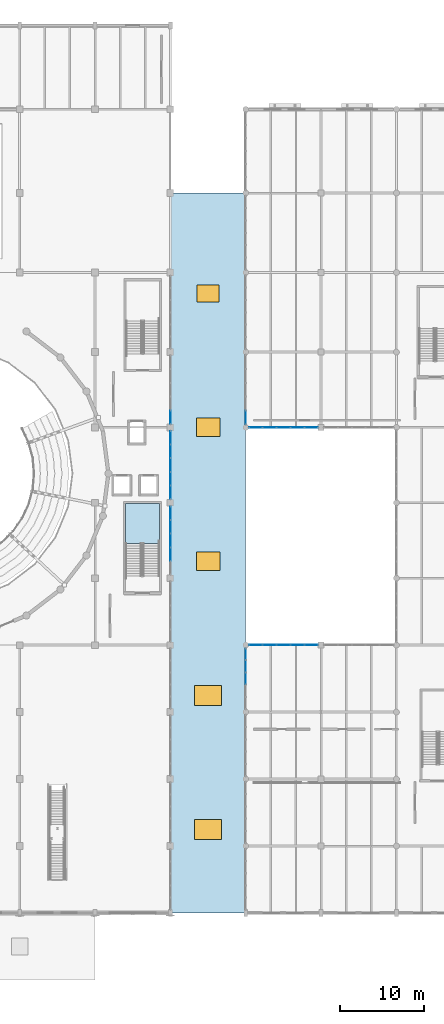
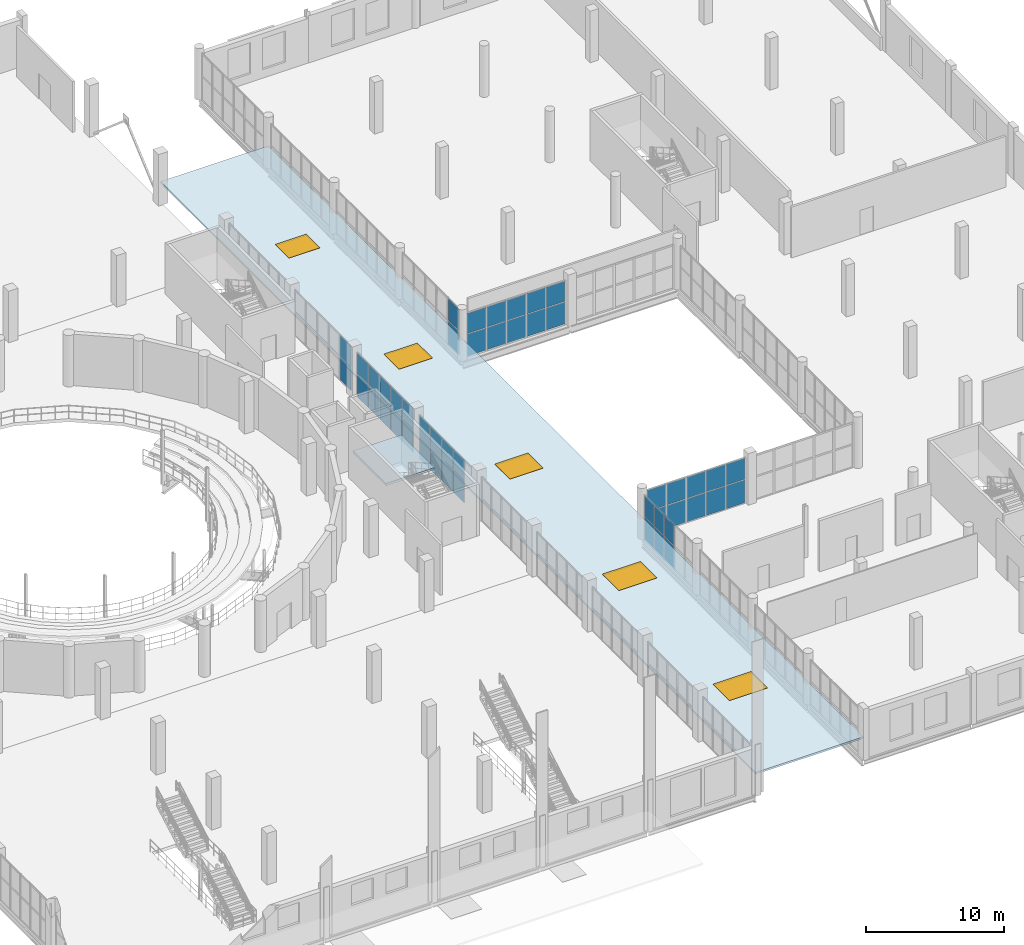
# One storey, part 60 of 93: 48 plates, 5 windows, 2 slabs, 5 openings, 8 elements without a shape of their own.
"""IFC4 building model written with IfcOpenShell, lengths in metres."""

from ifc_helpers import new_model, si_unit, direction, frame, origin, origin_2d, place, context, subcontext, project, spatial, polyline, rectangle, outline, extrude, material, layer, layer_set, type_object, element, fill, aggregate, save


model = new_model("IFC4")

# Units and contexts
model_context = context("Model", 3, precision=1e-05, world=origin(), true_north=direction((0.0, 1.0)))
body_context = subcontext(model_context, "Body", "Model", "MODEL_VIEW")
ifc_project = project(units=[si_unit("LENGTHUNIT", "METRE"), si_unit("AREAUNIT", "SQUARE_METRE"), si_unit("VOLUMEUNIT", "CUBIC_METRE"), si_unit("PLANEANGLEUNIT", "RADIAN"), si_unit("MASSUNIT", "GRAM", prefix="KILO")], contexts=[model_context])

# Site, building, storey
site_placement = place(None, origin())
site = spatial("IfcSite", under=ifc_project, at=site_placement, CompositionType="ELEMENT")
building_placement = place(site_placement, origin())
building = spatial("IfcBuilding", under=site, at=building_placement, Name="Marnock Terrace Opera House", CompositionType="ELEMENT")
storey_placement = place(building_placement, frame((0.0, 0.0, 5.39990234375)))
storey = spatial("IfcBuildingStorey", under=building, at=storey_placement, Name="L01", CompositionType="ELEMENT", Elevation=5.39990234375)

# Curtain wall, plates
ifc_material_1 = material(Name="Anodised architectural bronze aluminium framing", Category="aluminium")
ifc_layer_1 = layer(ifc_material_1, 0.159912109375)
ifc_layer_set_1 = layer_set([ifc_layer_1], Name="Anodised architectural bronze aluminium framing")
curtain_wall_type_1 = type_object("IfcCurtainWallType", Name="CW-FOYER-90x45", PredefinedType="NOTDEFINED", material=ifc_layer_set_1)
curtain_wall_1_placement = place(storey_placement, origin())
curtain_wall_1 = element("IfcCurtainWall", 1, at=curtain_wall_1_placement, inside=storey, type_object=curtain_wall_type_1, Name="L01 glazed Beaux-Arts colonnade curtain wall CW-V1E-L01-06", PredefinedType="NOTDEFINED")
ifc_material_2 = material(Name="Double-glazed acoustic low-E laminated glass", Category="glass")
ifc_layer_2 = layer(ifc_material_2, 0.028076171875)
ifc_layer_set_2 = layer_set([ifc_layer_2], Name="Double-glazed acoustic low-E laminated glass")
plate_type_1 = type_object("IfcPlateType", Name="CWP-GLZ-28", PredefinedType="CURTAIN_PANEL", material=ifc_layer_set_2)
plate_1_placement = place(storey_placement, frame((109.0, 50.8583984375, 0.06005859375), z_axis=(0.0, 0.0, 1.0), x_axis=(0.0, 1.0, 0.0)))
plate_1 = element("IfcPlate", 2, at=plate_1_placement, type_object=plate_type_1, Name="CW-27 panel 2.1", PredefinedType="CURTAIN_PANEL", context=body_context, shape_type="SweptSolid", body=[
    extrude(rectangle(XDim=1.58154296875, YDim=0.028076171875, at=origin_2d()), origin(), (0.0, 0.0, 1.0), 1.942138671875),
])
plate_2_placement = place(storey_placement, frame((109.0, 50.8583984375, 2.06201171875), z_axis=(0.0, 0.0, 1.0), x_axis=(0.0, 1.0, 0.0)))
plate_2 = element("IfcPlate", 3, at=plate_2_placement, type_object=plate_type_1, Name="CW-27 panel 2.2", PredefinedType="CURTAIN_PANEL", context=body_context, shape_type="SweptSolid", body=[
    extrude(rectangle(XDim=1.58154296875, YDim=0.028076171875, at=origin_2d()), origin(), (0.0, 0.0, 1.0), 1.785888671875),
])
plate_3_placement = place(storey_placement, frame((109.0, 52.5, 0.06005859375), z_axis=(0.0, 0.0, 1.0), x_axis=(0.0, 1.0, 0.0)))
plate_3 = element("IfcPlate", 4, at=plate_3_placement, type_object=plate_type_1, Name="CW-27 panel 3.1", PredefinedType="CURTAIN_PANEL", context=body_context, shape_type="SweptSolid", body=[
    extrude(rectangle(XDim=1.58154296875, YDim=0.028076171875, at=origin_2d()), origin(), (0.0, 0.0, 1.0), 1.942138671875),
])
plate_4_placement = place(storey_placement, frame((109.0, 52.5, 2.06201171875), z_axis=(0.0, 0.0, 1.0), x_axis=(0.0, 1.0, 0.0)))
plate_4 = element("IfcPlate", 5, at=plate_4_placement, type_object=plate_type_1, Name="CW-27 panel 3.2", PredefinedType="CURTAIN_PANEL", context=body_context, shape_type="SweptSolid", body=[
    extrude(rectangle(XDim=1.58154296875, YDim=0.028076171875, at=origin_2d()), origin(), (0.0, 0.0, 1.0), 1.785888671875),
])
plate_5_placement = place(storey_placement, frame((109.0, 54.1416015625, 0.06005859375), z_axis=(0.0, 0.0, 1.0), x_axis=(0.0, 1.0, 0.0)))
plate_5 = element("IfcPlate", 6, at=plate_5_placement, type_object=plate_type_1, Name="CW-27 panel 4.1", PredefinedType="CURTAIN_PANEL", context=body_context, shape_type="SweptSolid", body=[
    extrude(rectangle(XDim=1.58154296875, YDim=0.028076171875, at=origin_2d()), origin(), (0.0, 0.0, 1.0), 1.942138671875),
])
plate_6_placement = place(storey_placement, frame((109.0, 54.1416015625, 2.06201171875), z_axis=(0.0, 0.0, 1.0), x_axis=(0.0, 1.0, 0.0)))
plate_6 = element("IfcPlate", 7, at=plate_6_placement, type_object=plate_type_1, Name="CW-27 panel 4.2", PredefinedType="CURTAIN_PANEL", context=body_context, shape_type="SweptSolid", body=[
    extrude(rectangle(XDim=1.58154296875, YDim=0.028076171875, at=origin_2d()), origin(), (0.0, 0.0, 1.0), 1.785888671875),
])
plate_7_placement = place(storey_placement, frame((109.0, 55.768310546875, 0.06005859375), z_axis=(0.0, 0.0, 1.0), x_axis=(0.0, 1.0, 0.0)))
plate_7 = element("IfcPlate", 8, at=plate_7_placement, type_object=plate_type_1, Name="CW-27 panel 5.1", PredefinedType="CURTAIN_PANEL", context=body_context, shape_type="SweptSolid", body=[
    extrude(rectangle(XDim=1.551513671875, YDim=0.028076171875, at=origin_2d()), origin(), (0.0, 0.0, 1.0), 1.942138671875),
])
plate_8_placement = place(storey_placement, frame((109.0, 55.768310546875, 2.06201171875), z_axis=(0.0, 0.0, 1.0), x_axis=(0.0, 1.0, 0.0)))
plate_8 = element("IfcPlate", 9, at=plate_8_placement, type_object=plate_type_1, Name="CW-27 panel 5.2", PredefinedType="CURTAIN_PANEL", context=body_context, shape_type="SweptSolid", body=[
    extrude(rectangle(XDim=1.551513671875, YDim=0.028076171875, at=origin_2d()), origin(), (0.0, 0.0, 1.0), 1.785888671875),
])
aggregate(curtain_wall_1, [plate_1, plate_2, plate_3, plate_4, plate_5, plate_6, plate_7, plate_8])

curtain_wall_2_placement = place(storey_placement, origin())
curtain_wall_2 = element("IfcCurtainWall", 10, at=curtain_wall_2_placement, inside=storey, type_object=curtain_wall_type_1, Name="L01 glazed Beaux-Arts colonnade curtain wall CW-V1E-L01-07", PredefinedType="NOTDEFINED")
plate_9_placement = place(storey_placement, frame((109.0, 58.231689453125, 0.06005859375), z_axis=(0.0, 0.0, 1.0), x_axis=(0.0, 1.0, 0.0)))
plate_9 = element("IfcPlate", 11, at=plate_9_placement, type_object=plate_type_1, Name="CW-27 panel 1.1", PredefinedType="CURTAIN_PANEL", context=body_context, shape_type="SweptSolid", body=[
    extrude(rectangle(XDim=1.551513671875, YDim=0.028076171875, at=origin_2d()), origin(), (0.0, 0.0, 1.0), 1.980712890625),
])
plate_10_placement = place(storey_placement, frame((109.0, 58.231689453125, 2.100830078125), z_axis=(0.0, 0.0, 1.0), x_axis=(0.0, 1.0, 0.0)))
plate_10 = element("IfcPlate", 12, at=plate_10_placement, type_object=plate_type_1, Name="CW-27 panel 1.2", PredefinedType="CURTAIN_PANEL", context=body_context, shape_type="SweptSolid", body=[
    extrude(rectangle(XDim=1.551513671875, YDim=0.028076171875, at=origin_2d()), origin(), (0.0, 0.0, 1.0), 1.8212890625),
])
plate_11_placement = place(storey_placement, frame((109.0, 59.8583984375, 0.06005859375), z_axis=(0.0, 0.0, 1.0), x_axis=(0.0, 1.0, 0.0)))
plate_11 = element("IfcPlate", 13, at=plate_11_placement, type_object=plate_type_1, Name="CW-27 panel 2.1", PredefinedType="CURTAIN_PANEL", context=body_context, shape_type="SweptSolid", body=[
    extrude(rectangle(XDim=1.58154296875, YDim=0.028076171875, at=origin_2d()), origin(), (0.0, 0.0, 1.0), 1.980712890625),
])
plate_12_placement = place(storey_placement, frame((109.0, 59.8583984375, 2.100830078125), z_axis=(0.0, 0.0, 1.0), x_axis=(0.0, 1.0, 0.0)))
plate_12 = element("IfcPlate", 14, at=plate_12_placement, type_object=plate_type_1, Name="CW-27 panel 2.2", PredefinedType="CURTAIN_PANEL", context=body_context, shape_type="SweptSolid", body=[
    extrude(rectangle(XDim=1.58154296875, YDim=0.028076171875, at=origin_2d()), origin(), (0.0, 0.0, 1.0), 1.8212890625),
])
plate_13_placement = place(storey_placement, frame((109.0, 61.5, 0.06005859375), z_axis=(0.0, 0.0, 1.0), x_axis=(0.0, 1.0, 0.0)))
plate_13 = element("IfcPlate", 15, at=plate_13_placement, type_object=plate_type_1, Name="CW-27 panel 3.1", PredefinedType="CURTAIN_PANEL", context=body_context, shape_type="SweptSolid", body=[
    extrude(rectangle(XDim=1.58154296875, YDim=0.028076171875, at=origin_2d()), origin(), (0.0, 0.0, 1.0), 1.980712890625),
])
plate_14_placement = place(storey_placement, frame((109.0, 61.5, 2.100830078125), z_axis=(0.0, 0.0, 1.0), x_axis=(0.0, 1.0, 0.0)))
plate_14 = element("IfcPlate", 16, at=plate_14_placement, type_object=plate_type_1, Name="CW-27 panel 3.2", PredefinedType="CURTAIN_PANEL", context=body_context, shape_type="SweptSolid", body=[
    extrude(rectangle(XDim=1.58154296875, YDim=0.028076171875, at=origin_2d()), origin(), (0.0, 0.0, 1.0), 1.8212890625),
])
plate_15_placement = place(storey_placement, frame((109.0, 63.1416015625, 0.06005859375), z_axis=(0.0, 0.0, 1.0), x_axis=(0.0, 1.0, 0.0)))
plate_15 = element("IfcPlate", 17, at=plate_15_placement, type_object=plate_type_1, Name="CW-27 panel 4.1", PredefinedType="CURTAIN_PANEL", context=body_context, shape_type="SweptSolid", body=[
    extrude(rectangle(XDim=1.58154296875, YDim=0.028076171875, at=origin_2d()), origin(), (0.0, 0.0, 1.0), 1.980712890625),
])
plate_16_placement = place(storey_placement, frame((109.0, 63.1416015625, 2.100830078125), z_axis=(0.0, 0.0, 1.0), x_axis=(0.0, 1.0, 0.0)))
plate_16 = element("IfcPlate", 18, at=plate_16_placement, type_object=plate_type_1, Name="CW-27 panel 4.2", PredefinedType="CURTAIN_PANEL", context=body_context, shape_type="SweptSolid", body=[
    extrude(rectangle(XDim=1.58154296875, YDim=0.028076171875, at=origin_2d()), origin(), (0.0, 0.0, 1.0), 1.8212890625),
])
plate_17_placement = place(storey_placement, frame((109.0, 64.768310546875, 0.06005859375), z_axis=(0.0, 0.0, 1.0), x_axis=(0.0, 1.0, 0.0)))
plate_17 = element("IfcPlate", 19, at=plate_17_placement, type_object=plate_type_1, Name="CW-27 panel 5.1", PredefinedType="CURTAIN_PANEL", context=body_context, shape_type="SweptSolid", body=[
    extrude(rectangle(XDim=1.551513671875, YDim=0.028076171875, at=origin_2d()), origin(), (0.0, 0.0, 1.0), 1.980712890625),
])
plate_18_placement = place(storey_placement, frame((109.0, 64.768310546875, 2.100830078125), z_axis=(0.0, 0.0, 1.0), x_axis=(0.0, 1.0, 0.0)))
plate_18 = element("IfcPlate", 20, at=plate_18_placement, type_object=plate_type_1, Name="CW-27 panel 5.2", PredefinedType="CURTAIN_PANEL", context=body_context, shape_type="SweptSolid", body=[
    extrude(rectangle(XDim=1.551513671875, YDim=0.028076171875, at=origin_2d()), origin(), (0.0, 0.0, 1.0), 1.8212890625),
])
aggregate(curtain_wall_2, [plate_9, plate_10, plate_11, plate_12, plate_13, plate_14, plate_15, plate_16, plate_17, plate_18])

ifc_layer_3 = layer(ifc_material_1, 0.159912109375)
ifc_layer_set_3 = layer_set([ifc_layer_3], Name="Anodised architectural bronze aluminium framing")
curtain_wall_type_2 = type_object("IfcCurtainWallType", Name="CW-LOGGIA-86x45", PredefinedType="NOTDEFINED", material=ifc_layer_set_3)
curtain_wall_3_placement = place(storey_placement, origin())
curtain_wall_3 = element("IfcCurtainWall", 21, at=curtain_wall_3_placement, inside=storey, type_object=curtain_wall_type_2, Name="L01 glazed Beaux-Arts colonnade curtain wall CW-V5-L01-W4", PredefinedType="NOTDEFINED")
plate_19_placement = place(storey_placement, frame((118.0, 36.0, 0.06005859375), z_axis=(0.0, 0.0, 1.0), x_axis=(0.0, 1.0, 0.0)))
plate_19 = element("IfcPlate", 22, at=plate_19_placement, type_object=plate_type_1, Name="CW-61 panel 3.1", PredefinedType="CURTAIN_PANEL", context=body_context, shape_type="SweptSolid", body=[
    extrude(rectangle(XDim=1.401611328125, YDim=0.028076171875, at=origin_2d()), origin(), (0.0, 0.0, 1.0), 1.980712890625),
])
plate_20_placement = place(storey_placement, frame((118.0, 36.0, 2.100830078125), z_axis=(0.0, 0.0, 1.0), x_axis=(0.0, 1.0, 0.0)))
plate_20 = element("IfcPlate", 23, at=plate_20_placement, type_object=plate_type_1, Name="CW-61 panel 3.2", PredefinedType="CURTAIN_PANEL", context=body_context, shape_type="SweptSolid", body=[
    extrude(rectangle(XDim=1.401611328125, YDim=0.028076171875, at=origin_2d()), origin(), (0.0, 0.0, 1.0), 1.8212890625),
])
plate_21_placement = place(storey_placement, frame((118.0, 37.461669921875, 0.06005859375), z_axis=(0.0, 0.0, 1.0), x_axis=(0.0, 1.0, 0.0)))
plate_21 = element("IfcPlate", 24, at=plate_21_placement, type_object=plate_type_1, Name="CW-61 panel 4.1", PredefinedType="CURTAIN_PANEL", context=body_context, shape_type="SweptSolid", body=[
    extrude(rectangle(XDim=1.401611328125, YDim=0.028076171875, at=origin_2d()), origin(), (0.0, 0.0, 1.0), 1.980712890625),
])
plate_22_placement = place(storey_placement, frame((118.0, 37.461669921875, 2.100830078125), z_axis=(0.0, 0.0, 1.0), x_axis=(0.0, 1.0, 0.0)))
plate_22 = element("IfcPlate", 25, at=plate_22_placement, type_object=plate_type_1, Name="CW-61 panel 4.2", PredefinedType="CURTAIN_PANEL", context=body_context, shape_type="SweptSolid", body=[
    extrude(rectangle(XDim=1.401611328125, YDim=0.028076171875, at=origin_2d()), origin(), (0.0, 0.0, 1.0), 1.8212890625),
])
plate_23_placement = place(storey_placement, frame((118.0, 38.908203125, 0.06005859375), z_axis=(0.0, 0.0, 1.0), x_axis=(0.0, 1.0, 0.0)))
plate_23 = element("IfcPlate", 26, at=plate_23_placement, type_object=plate_type_1, Name="CW-61 panel 5.1", PredefinedType="CURTAIN_PANEL", context=body_context, shape_type="SweptSolid", body=[
    extrude(rectangle(XDim=1.37158203125, YDim=0.028076171875, at=origin_2d()), origin(), (0.0, 0.0, 1.0), 1.980712890625),
])
plate_24_placement = place(storey_placement, frame((118.0, 38.908203125, 2.100830078125), z_axis=(0.0, 0.0, 1.0), x_axis=(0.0, 1.0, 0.0)))
plate_24 = element("IfcPlate", 27, at=plate_24_placement, type_object=plate_type_1, Name="CW-61 panel 5.2", PredefinedType="CURTAIN_PANEL", context=body_context, shape_type="SweptSolid", body=[
    extrude(rectangle(XDim=1.37158203125, YDim=0.028076171875, at=origin_2d()), origin(), (0.0, 0.0, 1.0), 1.8212890625),
])
aggregate(curtain_wall_3, [plate_19, plate_20, plate_21, plate_22, plate_23, plate_24])

curtain_wall_4_placement = place(storey_placement, origin())
curtain_wall_4 = element("IfcCurtainWall", 28, at=curtain_wall_4_placement, inside=storey, type_object=curtain_wall_type_2, Name="L01 glazed Beaux-Arts colonnade curtain wall CW-V5-L01-CS1", PredefinedType="NOTDEFINED")
plate_25_placement = place(storey_placement, frame((119.19189453125, 40.0, 0.06005859375), z_axis=(0.0, 0.0, 1.0), x_axis=(1.0, 0.0, 0.0)))
plate_25 = element("IfcPlate", 29, at=plate_25_placement, type_object=plate_type_1, Name="CW-61 panel 1.1", PredefinedType="CURTAIN_PANEL", context=body_context, shape_type="SweptSolid", body=[
    extrude(rectangle(XDim=1.571533203125, YDim=0.028076171875, at=origin_2d()), origin(), (0.0, 0.0, 1.0), 2.015869140625),
])
plate_26_placement = place(storey_placement, frame((119.19189453125, 40.0, 2.1357421875), z_axis=(0.0, 0.0, 1.0), x_axis=(1.0, 0.0, 0.0)))
plate_26 = element("IfcPlate", 30, at=plate_26_placement, type_object=plate_type_1, Name="CW-61 panel 1.2", PredefinedType="CURTAIN_PANEL", context=body_context, shape_type="SweptSolid", body=[
    extrude(rectangle(XDim=1.571533203125, YDim=0.028076171875, at=origin_2d()), origin(), (0.0, 0.0, 1.0), 1.853759765625),
])
plate_27_placement = place(storey_placement, frame((120.83837890625, 40.0, 0.06005859375), z_axis=(0.0, 0.0, 1.0), x_axis=(1.0, 0.0, 0.0)))
plate_27 = element("IfcPlate", 31, at=plate_27_placement, type_object=plate_type_1, Name="CW-61 panel 2.1", PredefinedType="CURTAIN_PANEL", context=body_context, shape_type="SweptSolid", body=[
    extrude(rectangle(XDim=1.6015625, YDim=0.028076171875, at=origin_2d()), origin(), (0.0, 0.0, 1.0), 2.015869140625),
])
plate_28_placement = place(storey_placement, frame((120.83837890625, 40.0, 2.1357421875), z_axis=(0.0, 0.0, 1.0), x_axis=(1.0, 0.0, 0.0)))
plate_28 = element("IfcPlate", 32, at=plate_28_placement, type_object=plate_type_1, Name="CW-61 panel 2.2", PredefinedType="CURTAIN_PANEL", context=body_context, shape_type="SweptSolid", body=[
    extrude(rectangle(XDim=1.6015625, YDim=0.028076171875, at=origin_2d()), origin(), (0.0, 0.0, 1.0), 1.853759765625),
])
plate_29_placement = place(storey_placement, frame((122.5, 40.0, 0.06005859375), z_axis=(0.0, 0.0, 1.0), x_axis=(1.0, 0.0, 0.0)))
plate_29 = element("IfcPlate", 33, at=plate_29_placement, type_object=plate_type_1, Name="CW-61 panel 3.1", PredefinedType="CURTAIN_PANEL", context=body_context, shape_type="SweptSolid", body=[
    extrude(rectangle(XDim=1.6015625, YDim=0.028076171875, at=origin_2d()), origin(), (0.0, 0.0, 1.0), 2.015869140625),
])
plate_30_placement = place(storey_placement, frame((122.5, 40.0, 2.1357421875), z_axis=(0.0, 0.0, 1.0), x_axis=(1.0, 0.0, 0.0)))
plate_30 = element("IfcPlate", 34, at=plate_30_placement, type_object=plate_type_1, Name="CW-61 panel 3.2", PredefinedType="CURTAIN_PANEL", context=body_context, shape_type="SweptSolid", body=[
    extrude(rectangle(XDim=1.6015625, YDim=0.028076171875, at=origin_2d()), origin(), (0.0, 0.0, 1.0), 1.853759765625),
])
plate_31_placement = place(storey_placement, frame((124.16162109375, 40.0, 0.06005859375), z_axis=(0.0, 0.0, 1.0), x_axis=(1.0, 0.0, 0.0)))
plate_31 = element("IfcPlate", 35, at=plate_31_placement, type_object=plate_type_1, Name="CW-61 panel 4.1", PredefinedType="CURTAIN_PANEL", context=body_context, shape_type="SweptSolid", body=[
    extrude(rectangle(XDim=1.6015625, YDim=0.028076171875, at=origin_2d()), origin(), (0.0, 0.0, 1.0), 2.015869140625),
])
plate_32_placement = place(storey_placement, frame((124.16162109375, 40.0, 2.1357421875), z_axis=(0.0, 0.0, 1.0), x_axis=(1.0, 0.0, 0.0)))
plate_32 = element("IfcPlate", 36, at=plate_32_placement, type_object=plate_type_1, Name="CW-61 panel 4.2", PredefinedType="CURTAIN_PANEL", context=body_context, shape_type="SweptSolid", body=[
    extrude(rectangle(XDim=1.6015625, YDim=0.028076171875, at=origin_2d()), origin(), (0.0, 0.0, 1.0), 1.853759765625),
])
plate_33_placement = place(storey_placement, frame((125.80810546875, 40.0, 0.06005859375), z_axis=(0.0, 0.0, 1.0), x_axis=(1.0, 0.0, 0.0)))
plate_33 = element("IfcPlate", 37, at=plate_33_placement, type_object=plate_type_1, Name="CW-61 panel 5.1", PredefinedType="CURTAIN_PANEL", context=body_context, shape_type="SweptSolid", body=[
    extrude(rectangle(XDim=1.571533203125, YDim=0.028076171875, at=origin_2d()), origin(), (0.0, 0.0, 1.0), 2.015869140625),
])
plate_34_placement = place(storey_placement, frame((125.80810546875, 40.0, 2.1357421875), z_axis=(0.0, 0.0, 1.0), x_axis=(1.0, 0.0, 0.0)))
plate_34 = element("IfcPlate", 38, at=plate_34_placement, type_object=plate_type_1, Name="CW-61 panel 5.2", PredefinedType="CURTAIN_PANEL", context=body_context, shape_type="SweptSolid", body=[
    extrude(rectangle(XDim=1.571533203125, YDim=0.028076171875, at=origin_2d()), origin(), (0.0, 0.0, 1.0), 1.853759765625),
])
aggregate(curtain_wall_4, [plate_25, plate_26, plate_27, plate_28, plate_29, plate_30, plate_31, plate_32, plate_33, plate_34])

curtain_wall_5_placement = place(storey_placement, origin())
curtain_wall_5 = element("IfcCurtainWall", 39, at=curtain_wall_5_placement, inside=storey, type_object=curtain_wall_type_2, Name="L01 glazed Beaux-Arts colonnade curtain wall CW-V5-L01-CN1", PredefinedType="NOTDEFINED")
plate_35_placement = place(storey_placement, frame((119.19189453125, 66.0, 0.06005859375), z_axis=(0.0, 0.0, 1.0), x_axis=(1.0, 0.0, 0.0)))
plate_35 = element("IfcPlate", 40, at=plate_35_placement, type_object=plate_type_1, Name="CW-61 panel 1.1", PredefinedType="CURTAIN_PANEL", context=body_context, shape_type="SweptSolid", body=[
    extrude(rectangle(XDim=1.571533203125, YDim=0.028076171875, at=origin_2d()), origin(), (0.0, 0.0, 1.0), 1.939697265625),
])
plate_36_placement = place(storey_placement, frame((119.19189453125, 66.0, 2.0595703125), z_axis=(0.0, 0.0, 1.0), x_axis=(1.0, 0.0, 0.0)))
plate_36 = element("IfcPlate", 41, at=plate_36_placement, type_object=plate_type_1, Name="CW-61 panel 1.2", PredefinedType="CURTAIN_PANEL", context=body_context, shape_type="SweptSolid", body=[
    extrude(rectangle(XDim=1.571533203125, YDim=0.028076171875, at=origin_2d()), origin(), (0.0, 0.0, 1.0), 1.783447265625),
])
plate_37_placement = place(storey_placement, frame((120.83837890625, 66.0, 0.06005859375), z_axis=(0.0, 0.0, 1.0), x_axis=(1.0, 0.0, 0.0)))
plate_37 = element("IfcPlate", 42, at=plate_37_placement, type_object=plate_type_1, Name="CW-61 panel 2.1", PredefinedType="CURTAIN_PANEL", context=body_context, shape_type="SweptSolid", body=[
    extrude(rectangle(XDim=1.6015625, YDim=0.028076171875, at=origin_2d()), origin(), (0.0, 0.0, 1.0), 1.939697265625),
])
plate_38_placement = place(storey_placement, frame((120.83837890625, 66.0, 2.0595703125), z_axis=(0.0, 0.0, 1.0), x_axis=(1.0, 0.0, 0.0)))
plate_38 = element("IfcPlate", 43, at=plate_38_placement, type_object=plate_type_1, Name="CW-61 panel 2.2", PredefinedType="CURTAIN_PANEL", context=body_context, shape_type="SweptSolid", body=[
    extrude(rectangle(XDim=1.6015625, YDim=0.028076171875, at=origin_2d()), origin(), (0.0, 0.0, 1.0), 1.783447265625),
])
plate_39_placement = place(storey_placement, frame((122.5, 66.0, 0.06005859375), z_axis=(0.0, 0.0, 1.0), x_axis=(1.0, 0.0, 0.0)))
plate_39 = element("IfcPlate", 44, at=plate_39_placement, type_object=plate_type_1, Name="CW-61 panel 3.1", PredefinedType="CURTAIN_PANEL", context=body_context, shape_type="SweptSolid", body=[
    extrude(rectangle(XDim=1.6015625, YDim=0.028076171875, at=origin_2d()), origin(), (0.0, 0.0, 1.0), 1.939697265625),
])
plate_40_placement = place(storey_placement, frame((122.5, 66.0, 2.0595703125), z_axis=(0.0, 0.0, 1.0), x_axis=(1.0, 0.0, 0.0)))
plate_40 = element("IfcPlate", 45, at=plate_40_placement, type_object=plate_type_1, Name="CW-61 panel 3.2", PredefinedType="CURTAIN_PANEL", context=body_context, shape_type="SweptSolid", body=[
    extrude(rectangle(XDim=1.6015625, YDim=0.028076171875, at=origin_2d()), origin(), (0.0, 0.0, 1.0), 1.783447265625),
])
plate_41_placement = place(storey_placement, frame((124.16162109375, 66.0, 0.06005859375), z_axis=(0.0, 0.0, 1.0), x_axis=(1.0, 0.0, 0.0)))
plate_41 = element("IfcPlate", 46, at=plate_41_placement, type_object=plate_type_1, Name="CW-61 panel 4.1", PredefinedType="CURTAIN_PANEL", context=body_context, shape_type="SweptSolid", body=[
    extrude(rectangle(XDim=1.6015625, YDim=0.028076171875, at=origin_2d()), origin(), (0.0, 0.0, 1.0), 1.939697265625),
])
plate_42_placement = place(storey_placement, frame((124.16162109375, 66.0, 2.0595703125), z_axis=(0.0, 0.0, 1.0), x_axis=(1.0, 0.0, 0.0)))
plate_42 = element("IfcPlate", 47, at=plate_42_placement, type_object=plate_type_1, Name="CW-61 panel 4.2", PredefinedType="CURTAIN_PANEL", context=body_context, shape_type="SweptSolid", body=[
    extrude(rectangle(XDim=1.6015625, YDim=0.028076171875, at=origin_2d()), origin(), (0.0, 0.0, 1.0), 1.783447265625),
])
plate_43_placement = place(storey_placement, frame((125.80810546875, 66.0, 0.06005859375), z_axis=(0.0, 0.0, 1.0), x_axis=(1.0, 0.0, 0.0)))
plate_43 = element("IfcPlate", 48, at=plate_43_placement, type_object=plate_type_1, Name="CW-61 panel 5.1", PredefinedType="CURTAIN_PANEL", context=body_context, shape_type="SweptSolid", body=[
    extrude(rectangle(XDim=1.571533203125, YDim=0.028076171875, at=origin_2d()), origin(), (0.0, 0.0, 1.0), 1.939697265625),
])
plate_44_placement = place(storey_placement, frame((125.80810546875, 66.0, 2.0595703125), z_axis=(0.0, 0.0, 1.0), x_axis=(1.0, 0.0, 0.0)))
plate_44 = element("IfcPlate", 49, at=plate_44_placement, type_object=plate_type_1, Name="CW-61 panel 5.2", PredefinedType="CURTAIN_PANEL", context=body_context, shape_type="SweptSolid", body=[
    extrude(rectangle(XDim=1.571533203125, YDim=0.028076171875, at=origin_2d()), origin(), (0.0, 0.0, 1.0), 1.783447265625),
])
aggregate(curtain_wall_5, [plate_35, plate_36, plate_37, plate_38, plate_39, plate_40, plate_41, plate_42, plate_43, plate_44])

curtain_wall_6_placement = place(storey_placement, origin())
curtain_wall_6 = element("IfcCurtainWall", 50, at=curtain_wall_6_placement, inside=storey, type_object=curtain_wall_type_2, Name="L01 glazed Beaux-Arts colonnade curtain wall CW-V5-L01-W5", PredefinedType="NOTDEFINED")
plate_45_placement = place(storey_placement, frame((118.0, 67.19189453125, 0.06005859375), z_axis=(0.0, 0.0, 1.0), x_axis=(0.0, 1.0, 0.0)))
plate_45 = element("IfcPlate", 51, at=plate_45_placement, type_object=plate_type_1, Name="CW-61 panel 1.1", PredefinedType="CURTAIN_PANEL", context=body_context, shape_type="SweptSolid", body=[
    extrude(rectangle(XDim=1.571533203125, YDim=0.028076171875, at=origin_2d()), origin(), (0.0, 0.0, 1.0), 2.0703125),
])
plate_46_placement = place(storey_placement, frame((118.0, 67.19189453125, 2.1904296875), z_axis=(0.0, 0.0, 1.0), x_axis=(0.0, 1.0, 0.0)))
plate_46 = element("IfcPlate", 52, at=plate_46_placement, type_object=plate_type_1, Name="CW-61 panel 1.2", PredefinedType="CURTAIN_PANEL", context=body_context, shape_type="SweptSolid", body=[
    extrude(rectangle(XDim=1.571533203125, YDim=0.028076171875, at=origin_2d()), origin(), (0.0, 0.0, 1.0), 1.904052734375),
])
aggregate(curtain_wall_6, [plate_45, plate_46])

curtain_wall_7_placement = place(storey_placement, origin())
curtain_wall_7 = element("IfcCurtainWall", 53, at=curtain_wall_7_placement, inside=storey, type_object=curtain_wall_type_1, Name="L01 glazed Beaux-Arts colonnade curtain wall CW-V1E-L01-08", PredefinedType="NOTDEFINED")
ifc_layer_4 = layer(ifc_material_1, 0.035888671875)
ifc_layer_set_4 = layer_set([ifc_layer_4], Name="Anodised architectural bronze aluminium framing")
plate_type_2 = type_object("IfcPlateType", Name="CWP-SPAND-36", PredefinedType="CURTAIN_PANEL", material=ifc_layer_set_4)
plate_47_placement = place(storey_placement, frame((109.0, 67.231689453125, 0.06005859375), z_axis=(0.0, 0.0, 1.0), x_axis=(0.0, 1.0, 0.0)))
plate_47 = element("IfcPlate", 54, at=plate_47_placement, type_object=plate_type_2, Name="CW-27 panel 1.1", PredefinedType="CURTAIN_PANEL", context=body_context, shape_type="SweptSolid", body=[
    extrude(rectangle(XDim=1.551513671875, YDim=0.028076171875, at=origin_2d()), origin(), (0.0, 0.0, 1.0), 2.017333984375),
])
plate_48_placement = place(storey_placement, frame((109.0, 67.231689453125, 2.1376953125), z_axis=(0.0, 0.0, 1.0), x_axis=(0.0, 1.0, 0.0)))
plate_48 = element("IfcPlate", 55, at=plate_48_placement, type_object=plate_type_2, Name="CW-27 panel 1.2", PredefinedType="CURTAIN_PANEL", context=body_context, shape_type="SweptSolid", body=[
    extrude(rectangle(XDim=1.551513671875, YDim=0.028076171875, at=origin_2d()), origin(), (0.0, 0.0, 1.0), 1.855224609375),
])
aggregate(curtain_wall_7, [plate_47, plate_48])

# Slab, openings, windows
ifc_material_3 = material(Name="Steel Grade 350 (AS/NZS 3679.1)", Category="steel")
ifc_layer_5 = layer(ifc_material_3, 0.159912109375)
ifc_layer_set_5 = layer_set([ifc_layer_5], Name="Steel Grade 350 (AS/NZS 3679.1)")
slab_type_1 = type_object("IfcSlabType", Name="SL-CANOPY-160", PredefinedType="ROOF", material=ifc_layer_set_5)
slab_1_placement = place(storey_placement, frame((0.0, 0.0, 1.64013671875)))
slab_1 = element("IfcSlab", 56, at=slab_1_placement, inside=storey, type_object=slab_type_1, Name="L01 structural roof slab SL-ROOF-PASSAGE", PredefinedType="ROOF", context=body_context, shape_type="SweptSolid", body=[
    extrude(outline(polyline([(109.0, 8.0), (118.0, 8.0), (118.0, 94.0), (109.0, 94.0), (109.0, 8.0)])), origin(), (0.0, 0.0, 1.0), 0.159912109375),
])
opening_1_placement = place(slab_1_placement, frame((113.5, 18.0, 0.0)))
opening_1 = element("IfcOpeningElement", 57, at=opening_1_placement, cuts=slab_1, Name="Opening WT-34", PredefinedType="OPENING", context=body_context, shape_type="SweptSolid", body=[
    extrude(rectangle(XDim=3.199951171875, YDim=2.39990234375, at=origin_2d()), frame((0.0, 0.0, -0.010009765625)), (0.0, 0.0, 1.0), 0.179931640625),
])
opening_2_placement = place(slab_1_placement, frame((113.5, 34.0, 0.0)))
opening_2 = element("IfcOpeningElement", 58, at=opening_2_placement, cuts=slab_1, Name="Opening WT-34", PredefinedType="OPENING", context=body_context, shape_type="SweptSolid", body=[
    extrude(rectangle(XDim=3.199951171875, YDim=2.39990234375, at=origin_2d()), frame((0.0, 0.0, -0.010009765625)), (0.0, 0.0, 1.0), 0.179931640625),
])
opening_3_placement = place(slab_1_placement, frame((113.5, 50.0, 0.0)))
opening_3 = element("IfcOpeningElement", 59, at=opening_3_placement, cuts=slab_1, Name="Opening WT-82", PredefinedType="OPENING", context=body_context, shape_type="SweptSolid", body=[
    extrude(rectangle(XDim=2.800048828125, YDim=2.199951171875, at=origin_2d()), frame((0.0, 0.0, -0.010009765625)), (0.0, 0.0, 1.0), 0.179931640625),
])
opening_4_placement = place(slab_1_placement, frame((113.5, 66.0, 0.0)))
opening_4 = element("IfcOpeningElement", 60, at=opening_4_placement, cuts=slab_1, Name="Opening WT-82", PredefinedType="OPENING", context=body_context, shape_type="SweptSolid", body=[
    extrude(rectangle(XDim=2.800048828125, YDim=2.199951171875, at=origin_2d()), frame((0.0, 0.0, -0.010009765625)), (0.0, 0.0, 1.0), 0.179931640625),
])
opening_5_placement = place(slab_1_placement, frame((113.5, 82.0, 0.0)))
opening_5 = element("IfcOpeningElement", 61, at=opening_5_placement, cuts=slab_1, Name="Opening WT-54", PredefinedType="OPENING", context=body_context, shape_type="SweptSolid", body=[
    extrude(rectangle(XDim=2.60009765625, YDim=2.0, at=origin_2d()), frame((0.0, 0.0, -0.010009765625)), (0.0, 0.0, 1.0), 0.179931640625),
])
window_type_1 = type_object("IfcWindowType", Name="WT-SKY-2600", PartitioningType="SINGLE_PANEL", PredefinedType="SKYLIGHT", material=ifc_material_2)
window_1_placement = place(opening_5_placement, frame((0.0, 0.0, 0.10986328125)))
window_1 = element("IfcWindow", 62, at=window_1_placement, inside=storey, type_object=window_type_1, Name="Roof skylight SKY-PASS-05", OverallHeight=2.0, OverallWidth=2.60009765625, PartitioningType="SINGLE_PANEL", PredefinedType="SKYLIGHT", context=body_context, shape_type="SweptSolid", body=[
    extrude(rectangle(XDim=2.60009765625, YDim=2.0, at=origin_2d()), origin(), (0.0, 0.0, 1.0), 0.050048828125),
])
fill(opening_5, window_1)
window_type_2 = type_object("IfcWindowType", Name="WT-SKY-2800", PartitioningType="SINGLE_PANEL", PredefinedType="SKYLIGHT", material=ifc_material_2)
window_2_placement = place(opening_3_placement, frame((0.0, 0.0, 0.10986328125)))
window_2 = element("IfcWindow", 63, at=window_2_placement, inside=storey, type_object=window_type_2, Name="Roof skylight SKY-PASS-03", OverallHeight=2.199951171875, OverallWidth=2.800048828125, PartitioningType="SINGLE_PANEL", PredefinedType="SKYLIGHT", context=body_context, shape_type="SweptSolid", body=[
    extrude(rectangle(XDim=2.800048828125, YDim=2.199951171875, at=origin_2d()), origin(), (0.0, 0.0, 1.0), 0.050048828125),
])
fill(opening_3, window_2)
window_3_placement = place(opening_4_placement, frame((0.0, 0.0, 0.10986328125)))
window_3 = element("IfcWindow", 64, at=window_3_placement, inside=storey, type_object=window_type_2, Name="Roof skylight SKY-PASS-04", OverallHeight=2.199951171875, OverallWidth=2.800048828125, PartitioningType="SINGLE_PANEL", PredefinedType="SKYLIGHT", context=body_context, shape_type="SweptSolid", body=[
    extrude(rectangle(XDim=2.800048828125, YDim=2.199951171875, at=origin_2d()), origin(), (0.0, 0.0, 1.0), 0.050048828125),
])
fill(opening_4, window_3)
window_type_3 = type_object("IfcWindowType", Name="WT-SKY-3200", PartitioningType="SINGLE_PANEL", PredefinedType="SKYLIGHT", material=ifc_material_2)
window_4_placement = place(opening_1_placement, frame((0.0, 0.0, 0.10986328125)))
window_4 = element("IfcWindow", 65, at=window_4_placement, inside=storey, type_object=window_type_3, Name="Roof skylight SKY-PASS-01", OverallHeight=2.39990234375, OverallWidth=3.199951171875, PartitioningType="SINGLE_PANEL", PredefinedType="SKYLIGHT", context=body_context, shape_type="SweptSolid", body=[
    extrude(rectangle(XDim=3.199951171875, YDim=2.39990234375, at=origin_2d()), origin(), (0.0, 0.0, 1.0), 0.050048828125),
])
fill(opening_1, window_4)
window_5_placement = place(opening_2_placement, frame((0.0, 0.0, 0.10986328125)))
window_5 = element("IfcWindow", 66, at=window_5_placement, inside=storey, type_object=window_type_3, Name="Roof skylight SKY-PASS-02", OverallHeight=2.39990234375, OverallWidth=3.199951171875, PartitioningType="SINGLE_PANEL", PredefinedType="SKYLIGHT", context=body_context, shape_type="SweptSolid", body=[
    extrude(rectangle(XDim=3.199951171875, YDim=2.39990234375, at=origin_2d()), origin(), (0.0, 0.0, 1.0), 0.050048828125),
])
fill(opening_2, window_5)

# Stair, slab
ifc_material_4 = material(Name="Concrete N40 (f'c = 40 MPa)", Category="concrete")
stair_type = type_object("IfcStairType", Name="ST-TYPE-2600", PredefinedType="HALF_TURN_STAIR", material=ifc_material_4)
stair_placement = place(storey_placement, origin())
stair = element("IfcStair", 67, at=stair_placement, inside=storey, type_object=stair_type, Name="L01 ST-02", PredefinedType="HALF_TURN_STAIR")
ifc_material_5 = material(Name="Concrete N32 (f'c = 32 MPa)", Category="concrete")
ifc_layer_6 = layer(ifc_material_5, 0.199951171875)
ifc_layer_set_6 = layer_set([ifc_layer_6], Name="Concrete N32 (f'c = 32 MPa)")
slab_type_2 = type_object("IfcSlabType", Name="SL-LAND-200", PredefinedType="LANDING", material=ifc_layer_set_6)
slab_2_placement = place(storey_placement, frame((0.0, 0.0, 2.2001953125)))
slab_2 = element("IfcSlab", 68, at=slab_2_placement, type_object=slab_type_2, Name="ST-02 landing 1", PredefinedType="LANDING", context=body_context, shape_type="SweptSolid", body=[
    extrude(outline(polyline([(107.679931640625, 52.139892578125), (107.679931640625, 56.919921875), (103.639892578125, 56.919921875), (103.639892578125, 52.139892578125), (107.679931640625, 52.139892578125)])), origin(), (0.0, 0.0, 1.0), 0.199951171875),
])
aggregate(stair, [slab_2])

save(model, "model.ifc")
